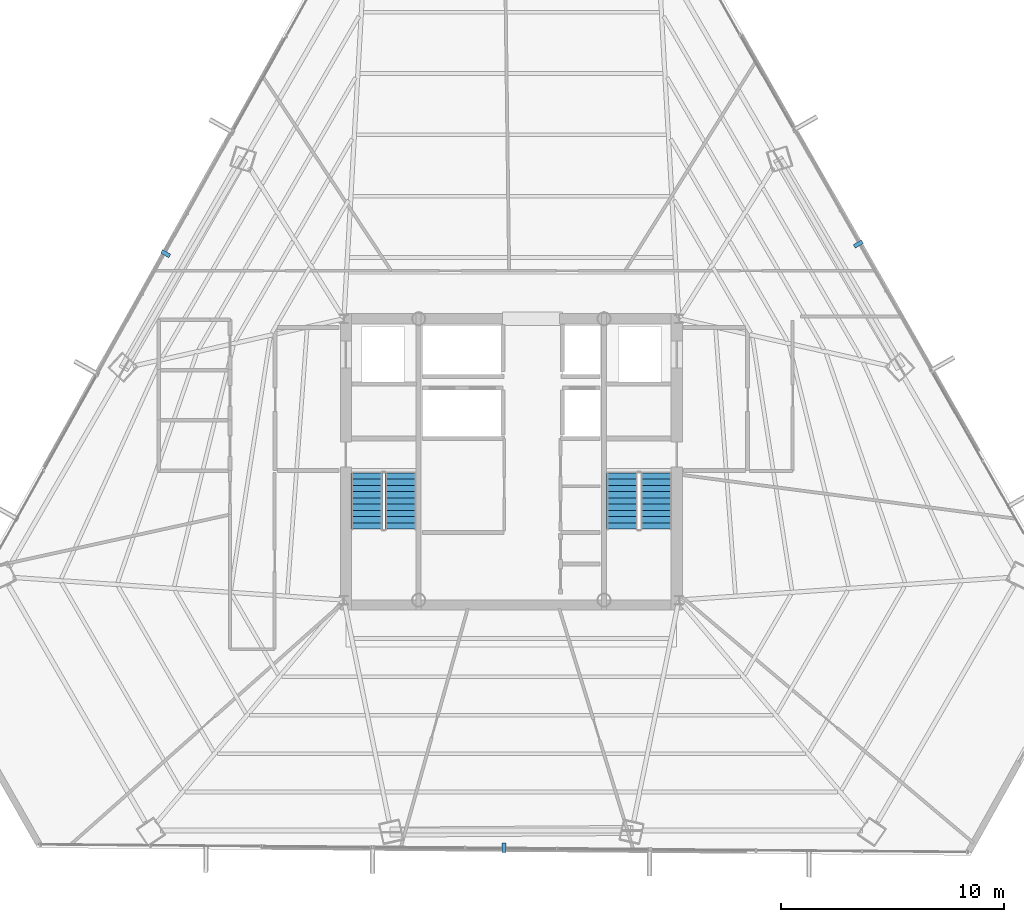
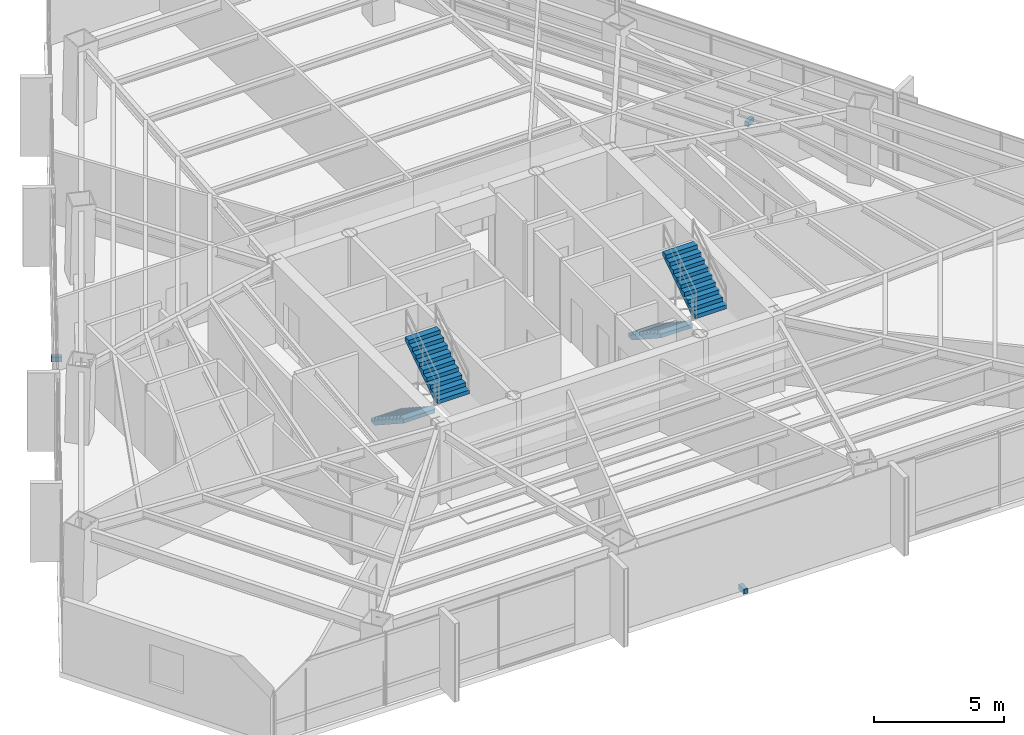
# One storey, part 36 of 39: 4 stair flights, 3 discrete accessories, 2 elements without a shape of their own.
"""IFC4 building model written with IfcOpenShell, lengths in metres."""

from ifc_helpers import new_model, si_unit, direction, frame, origin, origin_2d, place, context, subcontext, project, spatial, polyline, rectangle, outline, extrude, source, transform, mapped, material, type_object, type_shapes, element, aggregate, save


model = new_model("IFC4")

# Units and contexts
model_context = context("Model", 3, precision=1e-05, world=origin(), true_north=direction((0.0, 1.0)))
body_context = subcontext(model_context, "Body", "Model", "MODEL_VIEW")
ifc_project = project(units=[si_unit("LENGTHUNIT", "METRE"), si_unit("AREAUNIT", "SQUARE_METRE"), si_unit("VOLUMEUNIT", "CUBIC_METRE"), si_unit("PLANEANGLEUNIT", "RADIAN"), si_unit("MASSUNIT", "GRAM", prefix="KILO")], contexts=[model_context])

# Site, building, storey
site_placement = place(None, origin())
site = spatial("IfcSite", under=ifc_project, at=site_placement, CompositionType="ELEMENT")
building_placement = place(site_placement, origin())
building = spatial("IfcBuilding", under=site, at=building_placement, Name="Caelisora Broadcast Tower", CompositionType="ELEMENT")
storey_placement = place(building_placement, frame((0.0, 0.0, 139.10009765625)))
storey = spatial("IfcBuildingStorey", under=building, at=storey_placement, Name="L36", CompositionType="ELEMENT", Elevation=139.10009765625)

# Stair, stair flights
ifc_material_1 = material(Name="Concrete 40 MPa (AS 3600 N40)", Category="concrete")
stair_type_1 = type_object("IfcStairType", Name="ST-1", PredefinedType="HALF_TURN_STAIR", material=ifc_material_1)
stair_1_placement = place(storey_placement, origin())
stair_1 = element("IfcStair", 1, at=stair_1_placement, inside=storey, type_object=stair_type_1, Name="L36 West Fire-Isolated Tower Stair", PredefinedType="HALF_TURN_STAIR")
stair_flight_type = type_object("IfcStairFlightType", Name="STF-3", PredefinedType="STRAIGHT", material=ifc_material_1)
stair_flight_1_placement = place(storey_placement, frame((31.52001953125, 23.10009765625, 0.0), z_axis=(0.0, 0.0, 1.0), x_axis=(0.0, -1.0, 0.0)))
stair_flight_1 = element("IfcStairFlight", 2, at=stair_flight_1_placement, type_object=stair_flight_type, Name="ST-1 flight 1", NumberOfRisers=10, NumberOfTreads=9, PredefinedType="STRAIGHT", RiserHeight=0.1825, TreadLength=0.28, context=body_context, shape_type="SweptSolid", body=[
    extrude(outline(polyline([(0.0, 0.0), (0.0, 0.1826171875), (0.280029296875, 0.1826171875), (0.280029296875, 0.364990234375), (0.56005859375, 0.364990234375), (0.56005859375, 0.547607421875), (0.840087890625, 0.547607421875), (0.840087890625, 0.72998046875), (1.1201171875, 0.72998046875), (1.1201171875, 0.91259765625), (1.39990234375, 0.91259765625), (1.39990234375, 1.094970703125), (1.679931640625, 1.094970703125), (1.679931640625, 1.277587890625), (1.9599609375, 1.277587890625), (1.9599609375, 1.4599609375), (2.239990234375, 1.4599609375), (2.239990234375, 1.642578125), (2.52001953125, 1.642578125), (2.52001953125, 1.824951171875), (2.52001953125, 1.463623046875), (0.2744140625, 0.0), (0.0, 0.0)])), frame((0.0, 0.699951171875, 0.0), z_axis=(0.0, -1.0, 0.0), x_axis=(1.0, 0.0, 0.0)), (0.0, 0.0, 1.0), 1.39990234375),
])
stair_flight_2_placement = place(storey_placement, frame((33.0400390625, 20.580078125, 1.824951171875), z_axis=(0.0, 0.0, 1.0), x_axis=(0.0, 1.0, 0.0)))
stair_flight_2 = element("IfcStairFlight", 3, at=stair_flight_2_placement, type_object=stair_flight_type, Name="ST-1 flight 2", NumberOfRisers=10, NumberOfTreads=9, PredefinedType="STRAIGHT", RiserHeight=0.1825, TreadLength=0.28, context=body_context, shape_type="SweptSolid", body=[
    extrude(outline(polyline([(0.0, 0.0), (0.0, 0.1826171875), (0.280029296875, 0.1826171875), (0.280029296875, 0.364990234375), (0.56005859375, 0.364990234375), (0.56005859375, 0.547607421875), (0.840087890625, 0.547607421875), (0.840087890625, 0.72998046875), (1.1201171875, 0.72998046875), (1.1201171875, 0.91259765625), (1.39990234375, 0.91259765625), (1.39990234375, 1.094970703125), (1.679931640625, 1.094970703125), (1.679931640625, 1.277587890625), (1.9599609375, 1.277587890625), (1.9599609375, 1.4599609375), (2.239990234375, 1.4599609375), (2.239990234375, 1.642578125), (2.52001953125, 1.642578125), (2.52001953125, 1.824951171875), (2.52001953125, 1.463623046875), (0.2744140625, 0.0), (0.0, 0.0)])), frame((0.0, 0.699951171875, 0.0), z_axis=(0.0, -1.0, 0.0), x_axis=(1.0, 0.0, 0.0)), (0.0, 0.0, 1.0), 1.39990234375),
])
aggregate(stair_1, [stair_flight_1, stair_flight_2])

stair_type_2 = type_object("IfcStairType", Name="ST-2", PredefinedType="HALF_TURN_STAIR", material=ifc_material_1)
stair_2_placement = place(storey_placement, origin())
stair_2 = element("IfcStair", 4, at=stair_2_placement, inside=storey, type_object=stair_type_2, Name="L36 East Fire-Isolated Tower Stair", PredefinedType="HALF_TURN_STAIR")
stair_flight_3_placement = place(storey_placement, frame((42.9599609375, 23.10009765625, 0.0), z_axis=(0.0, 0.0, 1.0), x_axis=(0.0, -1.0, 0.0)))
stair_flight_3 = element("IfcStairFlight", 5, at=stair_flight_3_placement, type_object=stair_flight_type, Name="ST-2 flight 1", NumberOfRisers=10, NumberOfTreads=9, PredefinedType="STRAIGHT", RiserHeight=0.1825, TreadLength=0.28, context=body_context, shape_type="SweptSolid", body=[
    extrude(outline(polyline([(0.0, 0.0), (0.0, 0.1826171875), (0.280029296875, 0.1826171875), (0.280029296875, 0.364990234375), (0.56005859375, 0.364990234375), (0.56005859375, 0.547607421875), (0.840087890625, 0.547607421875), (0.840087890625, 0.72998046875), (1.1201171875, 0.72998046875), (1.1201171875, 0.91259765625), (1.39990234375, 0.91259765625), (1.39990234375, 1.094970703125), (1.679931640625, 1.094970703125), (1.679931640625, 1.277587890625), (1.9599609375, 1.277587890625), (1.9599609375, 1.4599609375), (2.239990234375, 1.4599609375), (2.239990234375, 1.642578125), (2.52001953125, 1.642578125), (2.52001953125, 1.824951171875), (2.52001953125, 1.463623046875), (0.2744140625, 0.0), (0.0, 0.0)])), frame((0.0, 0.699951171875, 0.0), z_axis=(0.0, -1.0, 0.0), x_axis=(1.0, 0.0, 0.0)), (0.0, 0.0, 1.0), 1.39990234375),
])
stair_flight_4_placement = place(storey_placement, frame((44.47998046875, 20.580078125, 1.824951171875), z_axis=(0.0, 0.0, 1.0), x_axis=(0.0, 1.0, 0.0)))
stair_flight_4 = element("IfcStairFlight", 6, at=stair_flight_4_placement, type_object=stair_flight_type, Name="ST-2 flight 2", NumberOfRisers=10, NumberOfTreads=9, PredefinedType="STRAIGHT", RiserHeight=0.1825, TreadLength=0.28, context=body_context, shape_type="SweptSolid", body=[
    extrude(outline(polyline([(0.0, 0.0), (0.0, 0.1826171875), (0.280029296875, 0.1826171875), (0.280029296875, 0.364990234375), (0.56005859375, 0.364990234375), (0.56005859375, 0.547607421875), (0.840087890625, 0.547607421875), (0.840087890625, 0.72998046875), (1.1201171875, 0.72998046875), (1.1201171875, 0.91259765625), (1.39990234375, 0.91259765625), (1.39990234375, 1.094970703125), (1.679931640625, 1.094970703125), (1.679931640625, 1.277587890625), (1.9599609375, 1.277587890625), (1.9599609375, 1.4599609375), (2.239990234375, 1.4599609375), (2.239990234375, 1.642578125), (2.52001953125, 1.642578125), (2.52001953125, 1.824951171875), (2.52001953125, 1.463623046875), (0.2744140625, 0.0), (0.0, 0.0)])), frame((0.0, 0.699951171875, 0.0), z_axis=(0.0, -1.0, 0.0), x_axis=(1.0, 0.0, 0.0)), (0.0, 0.0, 1.0), 1.39990234375),
])
aggregate(stair_2, [stair_flight_3, stair_flight_4])

# Discrete accessories
ifc_material_2 = material(Name="Steel Grade 350 (AS/NZS 3679.1)", Category="steel")
discrete_accessory_type = type_object("IfcDiscreteAccessoryType", Name="BRK-1", PredefinedType="BRACKET", material=ifc_material_2)
shared_shape = source(origin(), body_context, "Body", "SweptSolid", [
    extrude(rectangle(XDim=0.179931640625, YDim=0.419921875, at=origin_2d()), origin(), (0.0, 0.0, 1.0), 0.219970703125),
])
type_shapes(discrete_accessory_type, [shared_shape])
for number, where, z_axis, x_axis, name in (
    (7, (22.51611328125, 32.917236328125, -0.16015625), (0.0, 0.0, 1.0), (-0.487859659139, -0.87292207727, 0.0), "L36 solar screen outrigger bracket #1"),
    (8, (37.666015625, 6.31298828125, -0.16015625), (0.0, 0.0, 1.0), (0.999966355195, -0.008202955488, 0.0), "L36 solar screen outrigger bracket #2"),
    (9, (53.54150390625, 33.345458984375, -0.16015625), (0.0, 0.0, 1.0), (-0.495003786139, 0.868890816908, 0.0), "L36 solar screen outrigger bracket #3"),
):
    element("IfcDiscreteAccessory", number, at=place(storey_placement, frame(where, z_axis=z_axis, x_axis=x_axis)), inside=storey, type_object=discrete_accessory_type, Name=name, PredefinedType="BRACKET", context=body_context, shape_type="MappedRepresentation", body=[
        mapped(shared_shape, transform((0.0, 0.0, 0.0), scale=1.0)),
    ])

save(model, "model.ifc")
